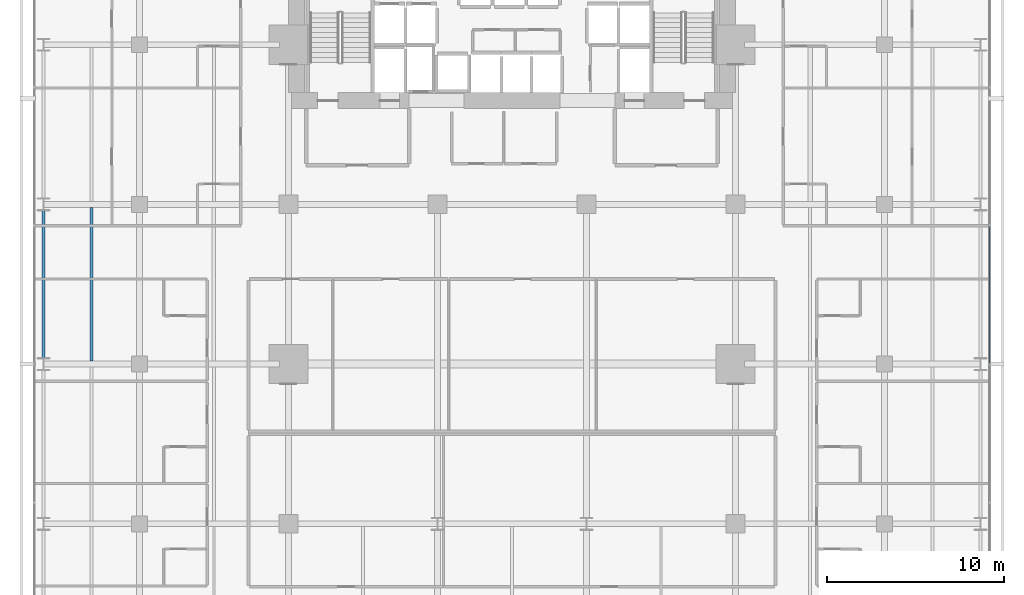
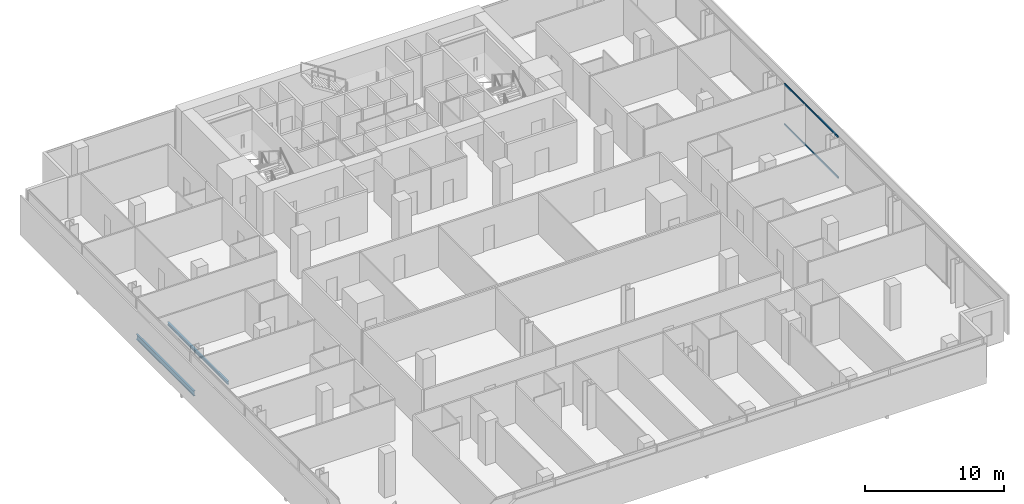
# One storey, part 20 of 40: 2 beams, 2 members, 1 element without a shape of its own.
"""IFC4 building model written with IfcOpenShell, lengths in metres."""

import ifcopenshell
import ifcopenshell.guid

model = None  # the IFC model being written
_history = None  # IfcOwnerHistory: only IFC2X3 demands one
_inside = {}  # id of a spatial element -> (the spatial element, [elements in it])
_under = {}  # id of a project, library or spatial element -> (it, [spatial elements below it])
_declared = {}  # id of a project -> (the project, [libraries it declares])
_typed = {}  # id of a type object -> (the type object, [elements of that type])
_made_of = {}  # id of a material, layer set ... -> (it, [elements and type objects made of it])


def new_model(schema):
    """Start an empty IFC model of exactly this schema.

    Asked for "IFC4X3", IfcOpenShell would pick the latest addendum, in which some entities
    have other attributes; the version numbers below select the first issue.
    IFC2X3 requires an IfcOwnerHistory on every rooted entity: one is made here for all.
    """
    global model, _history
    if schema == "IFC4X3":
        model = ifcopenshell.file(schema_version=(4, 3, 0, 0))
    else:
        model = ifcopenshell.file(schema=schema)
    _inside.clear()
    _under.clear()
    _declared.clear()
    _typed.clear()
    _made_of.clear()
    _history = None
    if model.schema == "IFC2X3":
        org = make("IfcOrganization", Name="unknown")
        user = make(
            "IfcPersonAndOrganization",
            ThePerson=make("IfcPerson", FamilyName="unknown"),
            TheOrganization=org,
        )
        app = make(
            "IfcApplication",
            ApplicationDeveloper=org,
            Version="unknown",
            ApplicationFullName="unknown",
            ApplicationIdentifier="unknown",
        )
        _history = make(
            "IfcOwnerHistory",
            OwningUser=user,
            OwningApplication=app,
            ChangeAction="ADDED",
            CreationDate=0,
        )
    return model


def make(cls, **values):
    """One entity of the class cls with the attributes given. An attribute that is None is left unset."""
    return model.create_entity(
        cls, **{name: value for name, value in values.items() if value is not None}
    )


def rooted(cls, **values):
    """An entity with a GlobalId (a new one), such as an element, a storey or a relation."""
    return make(cls, GlobalId=ifcopenshell.guid.new(), OwnerHistory=_history, **values)


def si_unit(unit_type, name, prefix=None):
    """IfcSIUnit, for example si_unit("LENGTHUNIT", "METRE", prefix="MILLI")."""
    return make("IfcSIUnit", UnitType=unit_type, Prefix=prefix, Name=name)


def assignment(units):
    """IfcUnitAssignment: the units of a project."""
    return None if units is None else make("IfcUnitAssignment", Units=units)


def point(xyz):
    """IfcCartesianPoint."""
    return None if xyz is None else make("IfcCartesianPoint", Coordinates=xyz)


def direction(xyz):
    """IfcDirection."""
    return None if xyz is None else make("IfcDirection", DirectionRatios=xyz)


def frame(location, z_axis=None, x_axis=None):
    """IfcAxis2Placement3D, a coordinate frame: its origin and axes. An axis left out is left unset."""
    return make(
        "IfcAxis2Placement3D",
        Location=point(location),
        Axis=direction(z_axis),
        RefDirection=direction(x_axis),
    )


def frame_2d(location, x_axis=None):
    """IfcAxis2Placement2D, a coordinate frame in the plane: its origin and x axis."""
    return make(
        "IfcAxis2Placement2D", Location=point(location), RefDirection=direction(x_axis)
    )


def origin():
    """The frame at (0, 0, 0) with its axes left unset."""
    return frame((0.0, 0.0, 0.0))


def origin_2d():
    """The frame at (0, 0) in the plane with its x axis left unset."""
    return frame_2d((0.0, 0.0))


def place(relative_to, where):
    """IfcLocalPlacement: puts the frame where relative to a parent placement (None: the world)."""
    return make(
        "IfcLocalPlacement", PlacementRelTo=relative_to, RelativePlacement=where
    )


def context(
    kind, dimensions, precision=None, world=None, true_north=None, identifier=None
):
    """IfcGeometricRepresentationContext, for example the 3D "Model" context."""
    return make(
        "IfcGeometricRepresentationContext",
        ContextIdentifier=identifier,
        ContextType=kind,
        CoordinateSpaceDimension=dimensions,
        Precision=precision,
        WorldCoordinateSystem=world,
        TrueNorth=true_north,
    )


def subcontext(parent, identifier, kind, view, scale=None):
    """IfcGeometricRepresentationSubContext, for example "Body" below "Model"."""
    return make(
        "IfcGeometricRepresentationSubContext",
        ContextIdentifier=identifier,
        ContextType=kind,
        ParentContext=parent,
        TargetScale=scale,
        TargetView=view,
    )


def project(units=None, contexts=None):
    """IfcProject with its units and contexts."""
    return rooted(
        "IfcProject",
        Name="project",
        RepresentationContexts=contexts,
        UnitsInContext=assignment(units),
    )


def spatial(cls, under=None, at=None, **own):
    """A site, building, storey or space (cls), placed at a placement, below another one or the project."""
    s = rooted(cls, ObjectPlacement=at, **own)
    if under is not None:
        _under.setdefault(under.id(), (under, []))[1].append(s)
    return s


def profile(cls, at=None, kind="AREA", **sizes):
    """A parametric profile (cls). Its sizes go by their IFC names, for example OverallWidth=200.0."""
    return make(cls, ProfileType=kind, Position=at, **sizes)


def hollow_rectangle(**sizes):
    """IfcRectangleHollowProfileDef."""
    return profile("IfcRectangleHollowProfileDef", **sizes)


def i_section(**sizes):
    """IfcIShapeProfileDef."""
    return profile("IfcIShapeProfileDef", **sizes)


def extrude(swept, where, along, depth):
    """IfcExtrudedAreaSolid: the profile swept, set in the frame where, extruded along a direction by depth."""
    return make(
        "IfcExtrudedAreaSolid",
        SweptArea=swept,
        Position=where,
        ExtrudedDirection=direction(along),
        Depth=depth,
    )


def shape(context_of_items, identifier, shape_type, items):
    """IfcShapeRepresentation: the items that make up one representation, for example the "Body"."""
    return make(
        "IfcShapeRepresentation",
        ContextOfItems=context_of_items,
        RepresentationIdentifier=identifier,
        RepresentationType=shape_type,
        Items=items,
    )


def material(Name=None, Category=None):
    """IfcMaterial."""
    return make("IfcMaterial", Name=Name, Category=Category)


def layer(
    of_material, thickness, ventilated=None, Name=None, Category=None, Priority=None
):
    """IfcMaterialLayer: one layer of a wall or slab, of a material (None: an air gap)."""
    return make(
        "IfcMaterialLayer",
        Material=of_material,
        LayerThickness=thickness,
        IsVentilated=ventilated,
        Name=Name,
        Category=Category,
        Priority=Priority,
    )


def layer_set(layers, Name=None):
    """IfcMaterialLayerSet."""
    return make("IfcMaterialLayerSet", MaterialLayers=layers, LayerSetName=Name)


def material_profile(
    of_material, cross_section, Name=None, Category=None, Priority=None
):
    """IfcMaterialProfile: a cross section and its material."""
    return make(
        "IfcMaterialProfile",
        Name=Name,
        Material=of_material,
        Profile=cross_section,
        Priority=Priority,
        Category=Category,
    )


def profile_set(profiles, Name=None, composite=None):
    """IfcMaterialProfileSet."""
    return make(
        "IfcMaterialProfileSet",
        Name=Name,
        MaterialProfiles=profiles,
        CompositeProfile=composite,
    )


def made_of(thing, what):
    """Note that an element or type object is made of a material, layer set ...; save() writes the relation."""
    if what is not None:
        _made_of.setdefault(what.id(), (what, []))[1].append(thing)
    return thing


def type_object(cls, material=None, **own):
    """A type object (cls), such as IfcWallType, which elements share."""
    return made_of(rooted(cls, **own), material)


def element(
    cls,
    number,
    at=None,
    inside=None,
    cuts=None,
    type_object=None,
    material=None,
    context=None,
    identifier="Body",
    shape_type=None,
    held_by="IfcProductDefinitionShape",
    body=None,
    shapes=None,
    **own,
):
    """One element of the class cls, such as IfcWall. Its Tag is "e" and its number.

    at: its placement. inside: the storey or other place that contains it. cuts: it is an
    opening in that element (IfcRelVoidsElement). A single representation is given by context,
    identifier, shape_type and body (its items); several are given by shapes. held_by: the class
    of the entity that holds the representations. save() writes the other relations.
    """
    e = rooted(cls, Tag="e%d" % number, ObjectPlacement=at, **own)
    if body is not None:
        shapes = [shape(context, identifier, shape_type, body)]
    if shapes is not None:
        e.Representation = make(held_by, Representations=shapes)
    if inside is not None:
        _inside.setdefault(inside.id(), (inside, []))[1].append(e)
    if cuts is not None:
        rooted(
            "IfcRelVoidsElement", RelatingBuildingElement=cuts, RelatedOpeningElement=e
        )
    if type_object is not None:
        _typed.setdefault(type_object.id(), (type_object, []))[1].append(e)
    return made_of(e, material)


def aggregate(whole, parts):
    """IfcRelAggregates: a whole, such as a stair, and the parts it consists of."""
    return rooted("IfcRelAggregates", RelatingObject=whole, RelatedObjects=parts)


def save(model, path):
    """Write the relations noted so far, then the file.

    IfcRelAggregates (storeys below a building ...), IfcRelContainedInSpatialStructure (elements
    in a storey), IfcRelDefinesByType, IfcRelAssociatesMaterial and IfcRelDeclares: one each for
    every whole, place, type object, material and project.
    """
    for whole, parts in _under.values():
        aggregate(whole, parts)
    for where, things in _inside.values():
        rooted(
            "IfcRelContainedInSpatialStructure",
            RelatedElements=things,
            RelatingStructure=where,
        )
    for kind, things in _typed.values():
        rooted("IfcRelDefinesByType", RelatedObjects=things, RelatingType=kind)
    for what, things in _made_of.values():
        rooted("IfcRelAssociatesMaterial", RelatedObjects=things, RelatingMaterial=what)
    for by, libraries in _declared.values():
        rooted("IfcRelDeclares", RelatingContext=by, RelatedDefinitions=libraries)
    model.write(path)


model = new_model("IFC4")

# Units and contexts
model_context = context("Model", 3, precision=1e-05, world=origin(), true_north=direction((0.0, 1.0)))
body_context = subcontext(model_context, "Body", "Model", "MODEL_VIEW")
ifc_project = project(units=[si_unit("LENGTHUNIT", "METRE"), si_unit("AREAUNIT", "SQUARE_METRE"), si_unit("VOLUMEUNIT", "CUBIC_METRE"), si_unit("PLANEANGLEUNIT", "RADIAN"), si_unit("MASSUNIT", "GRAM", prefix="KILO")], contexts=[model_context])

# Site, building, storey
site_placement = place(None, origin())
site = spatial("IfcSite", under=ifc_project, at=site_placement, CompositionType="ELEMENT")
building_placement = place(site_placement, origin())
building = spatial("IfcBuilding", under=site, at=building_placement, Name="Maruvema Waterfront Hotel and Observation Tower", CompositionType="ELEMENT")
storey_placement = place(building_placement, frame((0.0, 0.0, 96.25)))
storey = spatial("IfcBuildingStorey", under=building, at=storey_placement, Name="L23", CompositionType="ELEMENT", Elevation=96.25)

# Curtain wall, members
ifc_material_1 = material(Name="Anodised bronze aluminium and solar-control low-E IGU", Category="aluminium")
ifc_layer = layer(ifc_material_1, 0.159912109375, Name="Zone 1 Bronze Inner Thermal Curtain Wall System CW-02")
ifc_layer_set = layer_set([ifc_layer], Name="Anodised bronze aluminium and solar-control low-E IGU")
curtain_wall_type = type_object("IfcCurtainWallType", Name="Zone 1 Bronze Inner Thermal Curtain Wall System CW-02", PredefinedType="USERDEFINED", material=ifc_layer_set)
curtain_wall_placement = place(storey_placement, origin())
curtain_wall = element("IfcCurtainWall", 1, at=curtain_wall_placement, inside=storey, type_object=curtain_wall_type, Name="L23 Curtain Wall CW-L23-E", ObjectType="UNITISED CURTAIN WALL", PredefinedType="USERDEFINED")
ifc_material_2 = material(Name="Anodised architectural bronze aluminium", Category="aluminium")
ifc_material_profile_1 = material_profile(ifc_material_2, hollow_rectangle(XDim=0.070068359375, YDim=0.14990234375, WallThickness=0.00390625, at=origin_2d()), Name="ALU-T70x150")
ifc_profile_set_1 = profile_set([ifc_material_profile_1], Name="Anodised architectural bronze aluminium")
member_type = type_object("IfcMemberType", Name="Curtain Wall Horizontal Transom ALU-T70x150", PredefinedType="USERDEFINED", material=ifc_profile_set_1)
member_1_placement = place(storey_placement, frame((64.719970703125, 27.030029296875, 0.030029296875), z_axis=(0.0, 1.0, 0.0), x_axis=(-1.0, 0.0, 0.0)))
member_1 = element("IfcMember", 2, at=member_1_placement, type_object=member_type, Name="CW-02 transom 4.1", ObjectType="TRANSOM", PredefinedType="USERDEFINED", context=body_context, shape_type="SweptSolid", body=[
    extrude(hollow_rectangle(XDim=0.070068359375, YDim=0.14990234375, WallThickness=0.00390625, at=origin_2d()), origin(), (0.0, 0.0, 1.0), 7.739990234375),
])
member_2_placement = place(storey_placement, frame((64.719970703125, 27.030029296875, 3.580078125), z_axis=(0.0, 1.0, 0.0), x_axis=(-1.0, 0.0, 0.0)))
member_2 = element("IfcMember", 3, at=member_2_placement, type_object=member_type, Name="CW-02 transom 4.2", ObjectType="TRANSOM", PredefinedType="USERDEFINED", context=body_context, shape_type="SweptSolid", body=[
    extrude(hollow_rectangle(XDim=0.070068359375, YDim=0.14990234375, WallThickness=0.00390625, at=origin_2d()), origin(), (0.0, 0.0, 1.0), 7.739990234375),
])
aggregate(curtain_wall, [member_1, member_2])

# Beams
ifc_material_3 = material(Name="Steel ASTM A572 Grade 50", Category="steel")
ifc_material_profile_2 = material_profile(ifc_material_3, i_section(OverallWidth=0.153076171875, OverallDepth=0.455078125, WebThickness=0.008056640625, FlangeThickness=0.01318359375, FilletRadius=0.014892578125, at=origin_2d()), Name="W460x60.0")
ifc_profile_set_2 = profile_set([ifc_material_profile_2], Name="Steel ASTM A572 Grade 50")
beam_type_1 = type_object("IfcBeamType", Name="Perimeter Spandrel Beam W460x60.0", PredefinedType="SPANDREL", material=ifc_profile_set_2)
beam_1_placement = place(storey_placement, frame((11.39990234375, 27.35009765625, -0.467529296875), z_axis=(0.0, 1.0, 0.0), x_axis=(-1.0, 0.0, 0.0)))
element("IfcBeam", 4, at=beam_1_placement, inside=storey, type_object=beam_type_1, Name="L23 Floor Girder NS-03", PredefinedType="SPANDREL", context=body_context, shape_type="SweptSolid", body=[
    extrude(i_section(OverallWidth=0.153076171875, OverallDepth=0.455078125, WebThickness=0.008056640625, FlangeThickness=0.01318359375, FilletRadius=0.014892578125, at=origin_2d()), origin(), (0.0, 0.0, 1.0), 8.2998046875),
])
ifc_material_4 = material(Name="Steel ASTM A572 Grade 50", Category="steel")
ifc_material_profile_3 = material_profile(ifc_material_4, i_section(OverallWidth=0.14794921875, OverallDepth=0.26611328125, WebThickness=0.007568359375, FlangeThickness=0.012939453125, FilletRadius=0.012939453125, at=origin_2d()), Name="W250x44.8")
ifc_profile_set_3 = profile_set([ifc_material_profile_3], Name="Steel ASTM A572 Grade 50")
beam_type_2 = type_object("IfcBeamType", Name="Secondary Floor Joist W250x44.8", PredefinedType="JOIST", material=ifc_profile_set_3)
beam_2_placement = place(storey_placement, frame((14.10009765625, 27.162109375, -0.373046875), z_axis=(0.0, 1.0, 0.0), x_axis=(-1.0, 0.0, 0.0)))
element("IfcBeam", 5, at=beam_2_placement, inside=storey, type_object=beam_type_2, Name="L23 Secondary Floor Joist JS-03", PredefinedType="JOIST", context=body_context, shape_type="SweptSolid", body=[
    extrude(i_section(OverallWidth=0.14794921875, OverallDepth=0.26611328125, WebThickness=0.007568359375, FlangeThickness=0.012939453125, FilletRadius=0.012939453125, at=origin_2d()), origin(), (0.0, 0.0, 1.0), 8.67578125),
])

save(model, "model.ifc")
